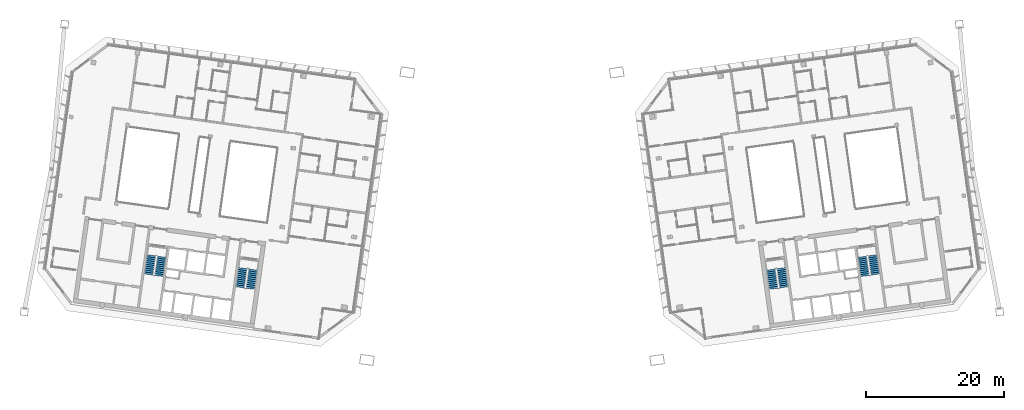
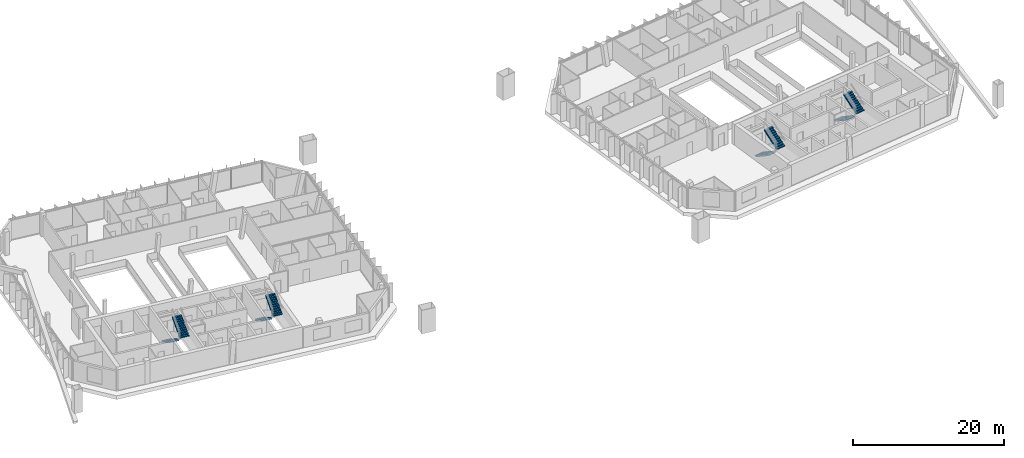
# One storey, part 17 of 19: 8 stair flights, 4 elements without a shape of their own.
"""IFC4 building model written with IfcOpenShell, lengths in metres."""

from ifc_helpers import new_model, si_unit, direction, frame, origin, place, context, subcontext, project, spatial, polyline, outline, extrude, material, type_object, element, aggregate, save


model = new_model("IFC4")

# Units and contexts
model_context = context("Model", 3, precision=1e-05, world=origin(), true_north=direction((0.0, 1.0)))
body_context = subcontext(model_context, "Body", "Model", "MODEL_VIEW")
ifc_project = project(units=[si_unit("LENGTHUNIT", "METRE"), si_unit("AREAUNIT", "SQUARE_METRE"), si_unit("VOLUMEUNIT", "CUBIC_METRE"), si_unit("PLANEANGLEUNIT", "RADIAN"), si_unit("MASSUNIT", "GRAM", prefix="KILO")], contexts=[model_context])

# Site, building, storey
site_placement = place(None, origin())
site = spatial("IfcSite", under=ifc_project, at=site_placement, CompositionType="ELEMENT")
building_placement = place(site_placement, origin())
building = spatial("IfcBuilding", under=site, at=building_placement, Name="Mirante Cascada Hotel Towers", CompositionType="ELEMENT")
storey_placement = place(building_placement, frame((0.0, 0.0, 239.4)))
storey = spatial("IfcBuildingStorey", under=building, at=storey_placement, Name="L57", CompositionType="ELEMENT", Elevation=239.4)

# Stair, stair flights
ifc_material_1 = material(Name="Concrete C35/45", Category="concrete")
stair_type = type_object("IfcStairType", Name="Exit stair half-turn 1350 concrete C35/45", PredefinedType="HALF_TURN_STAIR", material=ifc_material_1)
stair_1_placement = place(storey_placement, origin())
stair_1 = element("IfcStair", 1, at=stair_1_placement, inside=storey, type_object=stair_type, Name="L57 Exit stair A", PredefinedType="HALF_TURN_STAIR")
ifc_material_2 = material(Name="Concrete C35/45", Category="concrete")
stair_flight_type = type_object("IfcStairFlightType", Name="Exit stair flight 1350 concrete C35/45", PredefinedType="STRAIGHT", material=ifc_material_2)
stair_flight_1_placement = place(storey_placement, frame((-38.9417, -11.195, 0.0), z_axis=(0.0, 0.0, 1.0), x_axis=(-0.1391731, -0.9902681, 0.0)))
stair_flight_1 = element("IfcStairFlight", 2, at=stair_flight_1_placement, type_object=stair_flight_type, Name="ST1-A flight 1", NumberOfRisers=11, NumberOfTreads=10, PredefinedType="STRAIGHT", RiserHeight=0.172727273, TreadLength=0.28, context=body_context, shape_type="SweptSolid", body=[
    extrude(outline(polyline([(0.0, 0.0), (0.0, 0.1727), (0.28, 0.1727), (0.28, 0.3455), (0.56, 0.3455), (0.56, 0.5182), (0.84, 0.5182), (0.84, 0.6909), (1.12, 0.6909), (1.12, 0.8636), (1.4, 0.8636), (1.4, 1.0364), (1.68, 1.0364), (1.68, 1.2091), (1.96, 1.2091), (1.96, 1.3818), (2.24, 1.3818), (2.24, 1.5545), (2.52, 1.5545), (2.52, 1.7273), (2.8, 1.7273), (2.8, 1.9), (2.8, 1.551), (0.2857, 0.0), (0.0, 0.0)])), frame((0.0, 0.675, 0.0), z_axis=(0.0, -1.0, 0.0), x_axis=(1.0, 0.0, 0.0)), (0.0, 0.0, 1.0), 1.35),
])
stair_flight_2_placement = place(storey_placement, frame((-37.846, -14.1765, 1.9), z_axis=(0.0, 0.0, 1.0), x_axis=(0.1391731, 0.9902681, 0.0)))
stair_flight_2 = element("IfcStairFlight", 3, at=stair_flight_2_placement, type_object=stair_flight_type, Name="ST1-A flight 2", NumberOfRisers=11, NumberOfTreads=10, PredefinedType="STRAIGHT", RiserHeight=0.172727273, TreadLength=0.28, context=body_context, shape_type="SweptSolid", body=[
    extrude(outline(polyline([(0.0, 0.0), (0.0, 0.1727), (0.28, 0.1727), (0.28, 0.3455), (0.56, 0.3455), (0.56, 0.5182), (0.84, 0.5182), (0.84, 0.6909), (1.12, 0.6909), (1.12, 0.8636), (1.4, 0.8636), (1.4, 1.0364), (1.68, 1.0364), (1.68, 1.2091), (1.96, 1.2091), (1.96, 1.3818), (2.24, 1.3818), (2.24, 1.5545), (2.52, 1.5545), (2.52, 1.7273), (2.8, 1.7273), (2.8, 1.9), (2.8, 1.551), (0.2857, 0.0), (0.0, 0.0)])), frame((0.0, 0.675, 0.0), z_axis=(0.0, -1.0, 0.0), x_axis=(1.0, 0.0, 0.0)), (0.0, 0.0, 1.0), 1.35),
])
aggregate(stair_1, [stair_flight_1, stair_flight_2])

stair_2_placement = place(storey_placement, origin())
stair_2 = element("IfcStair", 4, at=stair_2_placement, inside=storey, type_object=stair_type, Name="L57 Exit stair B", PredefinedType="HALF_TURN_STAIR")
stair_flight_3_placement = place(storey_placement, frame((-52.1618, -9.3371, 0.0), z_axis=(0.0, 0.0, 1.0), x_axis=(-0.1391731, -0.9902681, 0.0)))
stair_flight_3 = element("IfcStairFlight", 5, at=stair_flight_3_placement, type_object=stair_flight_type, Name="ST1-B flight 1", NumberOfRisers=11, NumberOfTreads=10, PredefinedType="STRAIGHT", RiserHeight=0.172727273, TreadLength=0.28, context=body_context, shape_type="SweptSolid", body=[
    extrude(outline(polyline([(0.0, 0.0), (0.0, 0.1727), (0.28, 0.1727), (0.28, 0.3455), (0.56, 0.3455), (0.56, 0.5182), (0.84, 0.5182), (0.84, 0.6909), (1.12, 0.6909), (1.12, 0.8636), (1.4, 0.8636), (1.4, 1.0364), (1.68, 1.0364), (1.68, 1.2091), (1.96, 1.2091), (1.96, 1.3818), (2.24, 1.3818), (2.24, 1.5545), (2.52, 1.5545), (2.52, 1.7273), (2.8, 1.7273), (2.8, 1.9), (2.8, 1.551), (0.2857, 0.0), (0.0, 0.0)])), frame((0.0, 0.675, 0.0), z_axis=(0.0, -1.0, 0.0), x_axis=(1.0, 0.0, 0.0)), (0.0, 0.0, 1.0), 1.35),
])
stair_flight_4_placement = place(storey_placement, frame((-51.0661, -12.3186, 1.9), z_axis=(0.0, 0.0, 1.0), x_axis=(0.1391731, 0.9902681, 0.0)))
stair_flight_4 = element("IfcStairFlight", 6, at=stair_flight_4_placement, type_object=stair_flight_type, Name="ST1-B flight 2", NumberOfRisers=11, NumberOfTreads=10, PredefinedType="STRAIGHT", RiserHeight=0.172727273, TreadLength=0.28, context=body_context, shape_type="SweptSolid", body=[
    extrude(outline(polyline([(0.0, 0.0), (0.0, 0.1727), (0.28, 0.1727), (0.28, 0.3455), (0.56, 0.3455), (0.56, 0.5182), (0.84, 0.5182), (0.84, 0.6909), (1.12, 0.6909), (1.12, 0.8636), (1.4, 0.8636), (1.4, 1.0364), (1.68, 1.0364), (1.68, 1.2091), (1.96, 1.2091), (1.96, 1.3818), (2.24, 1.3818), (2.24, 1.5545), (2.52, 1.5545), (2.52, 1.7273), (2.8, 1.7273), (2.8, 1.9), (2.8, 1.551), (0.2857, 0.0), (0.0, 0.0)])), frame((0.0, 0.675, 0.0), z_axis=(0.0, -1.0, 0.0), x_axis=(1.0, 0.0, 0.0)), (0.0, 0.0, 1.0), 1.35),
])
aggregate(stair_2, [stair_flight_3, stair_flight_4])

stair_3_placement = place(storey_placement, origin())
stair_3 = element("IfcStair", 7, at=stair_3_placement, inside=storey, type_object=stair_type, Name="L57 Exit stair A", PredefinedType="HALF_TURN_STAIR")
stair_flight_5_placement = place(storey_placement, frame((37.4563, -11.4038, 0.0), z_axis=(0.0, 0.0, 1.0), x_axis=(0.1391731, -0.9902681, 0.0)))
stair_flight_5 = element("IfcStairFlight", 8, at=stair_flight_5_placement, type_object=stair_flight_type, Name="ST2-A flight 1", NumberOfRisers=11, NumberOfTreads=10, PredefinedType="STRAIGHT", RiserHeight=0.172727273, TreadLength=0.28, context=body_context, shape_type="SweptSolid", body=[
    extrude(outline(polyline([(0.0, 0.0), (0.0, 0.1727), (0.28, 0.1727), (0.28, 0.3455), (0.56, 0.3455), (0.56, 0.5182), (0.84, 0.5182), (0.84, 0.6909), (1.12, 0.6909), (1.12, 0.8636), (1.4, 0.8636), (1.4, 1.0364), (1.68, 1.0364), (1.68, 1.2091), (1.96, 1.2091), (1.96, 1.3818), (2.24, 1.3818), (2.24, 1.5545), (2.52, 1.5545), (2.52, 1.7273), (2.8, 1.7273), (2.8, 1.9), (2.8, 1.551), (0.2857, 0.0), (0.0, 0.0)])), frame((0.0, 0.675, 0.0), z_axis=(0.0, -1.0, 0.0), x_axis=(1.0, 0.0, 0.0)), (0.0, 0.0, 1.0), 1.35),
])
stair_flight_6_placement = place(storey_placement, frame((39.3314, -13.9678, 1.9), z_axis=(0.0, 0.0, 1.0), x_axis=(-0.1391731, 0.9902681, 0.0)))
stair_flight_6 = element("IfcStairFlight", 9, at=stair_flight_6_placement, type_object=stair_flight_type, Name="ST2-A flight 2", NumberOfRisers=11, NumberOfTreads=10, PredefinedType="STRAIGHT", RiserHeight=0.172727273, TreadLength=0.28, context=body_context, shape_type="SweptSolid", body=[
    extrude(outline(polyline([(0.0, 0.0), (0.0, 0.1727), (0.28, 0.1727), (0.28, 0.3455), (0.56, 0.3455), (0.56, 0.5182), (0.84, 0.5182), (0.84, 0.6909), (1.12, 0.6909), (1.12, 0.8636), (1.4, 0.8636), (1.4, 1.0364), (1.68, 1.0364), (1.68, 1.2091), (1.96, 1.2091), (1.96, 1.3818), (2.24, 1.3818), (2.24, 1.5545), (2.52, 1.5545), (2.52, 1.7273), (2.8, 1.7273), (2.8, 1.9), (2.8, 1.551), (0.2857, 0.0), (0.0, 0.0)])), frame((0.0, 0.675, 0.0), z_axis=(0.0, -1.0, 0.0), x_axis=(1.0, 0.0, 0.0)), (0.0, 0.0, 1.0), 1.35),
])
aggregate(stair_3, [stair_flight_5, stair_flight_6])

stair_4_placement = place(storey_placement, origin())
stair_4 = element("IfcStair", 10, at=stair_4_placement, inside=storey, type_object=stair_type, Name="L57 Exit stair B", PredefinedType="HALF_TURN_STAIR")
stair_flight_7_placement = place(storey_placement, frame((50.6764, -9.5458, 0.0), z_axis=(0.0, 0.0, 1.0), x_axis=(0.1391731, -0.9902681, 0.0)))
stair_flight_7 = element("IfcStairFlight", 11, at=stair_flight_7_placement, type_object=stair_flight_type, Name="ST2-B flight 1", NumberOfRisers=11, NumberOfTreads=10, PredefinedType="STRAIGHT", RiserHeight=0.172727273, TreadLength=0.28, context=body_context, shape_type="SweptSolid", body=[
    extrude(outline(polyline([(0.0, 0.0), (0.0, 0.1727), (0.28, 0.1727), (0.28, 0.3455), (0.56, 0.3455), (0.56, 0.5182), (0.84, 0.5182), (0.84, 0.6909), (1.12, 0.6909), (1.12, 0.8636), (1.4, 0.8636), (1.4, 1.0364), (1.68, 1.0364), (1.68, 1.2091), (1.96, 1.2091), (1.96, 1.3818), (2.24, 1.3818), (2.24, 1.5545), (2.52, 1.5545), (2.52, 1.7273), (2.8, 1.7273), (2.8, 1.9), (2.8, 1.551), (0.2857, 0.0), (0.0, 0.0)])), frame((0.0, 0.675, 0.0), z_axis=(0.0, -1.0, 0.0), x_axis=(1.0, 0.0, 0.0)), (0.0, 0.0, 1.0), 1.35),
])
stair_flight_8_placement = place(storey_placement, frame((52.5515, -12.1098, 1.9), z_axis=(0.0, 0.0, 1.0), x_axis=(-0.1391731, 0.9902681, 0.0)))
stair_flight_8 = element("IfcStairFlight", 12, at=stair_flight_8_placement, type_object=stair_flight_type, Name="ST2-B flight 2", NumberOfRisers=11, NumberOfTreads=10, PredefinedType="STRAIGHT", RiserHeight=0.172727273, TreadLength=0.28, context=body_context, shape_type="SweptSolid", body=[
    extrude(outline(polyline([(0.0, 0.0), (0.0, 0.1727), (0.28, 0.1727), (0.28, 0.3455), (0.56, 0.3455), (0.56, 0.5182), (0.84, 0.5182), (0.84, 0.6909), (1.12, 0.6909), (1.12, 0.8636), (1.4, 0.8636), (1.4, 1.0364), (1.68, 1.0364), (1.68, 1.2091), (1.96, 1.2091), (1.96, 1.3818), (2.24, 1.3818), (2.24, 1.5545), (2.52, 1.5545), (2.52, 1.7273), (2.8, 1.7273), (2.8, 1.9), (2.8, 1.551), (0.2857, 0.0), (0.0, 0.0)])), frame((0.0, 0.675, 0.0), z_axis=(0.0, -1.0, 0.0), x_axis=(1.0, 0.0, 0.0)), (0.0, 0.0, 1.0), 1.35),
])
aggregate(stair_4, [stair_flight_7, stair_flight_8])

save(model, "model.ifc")
